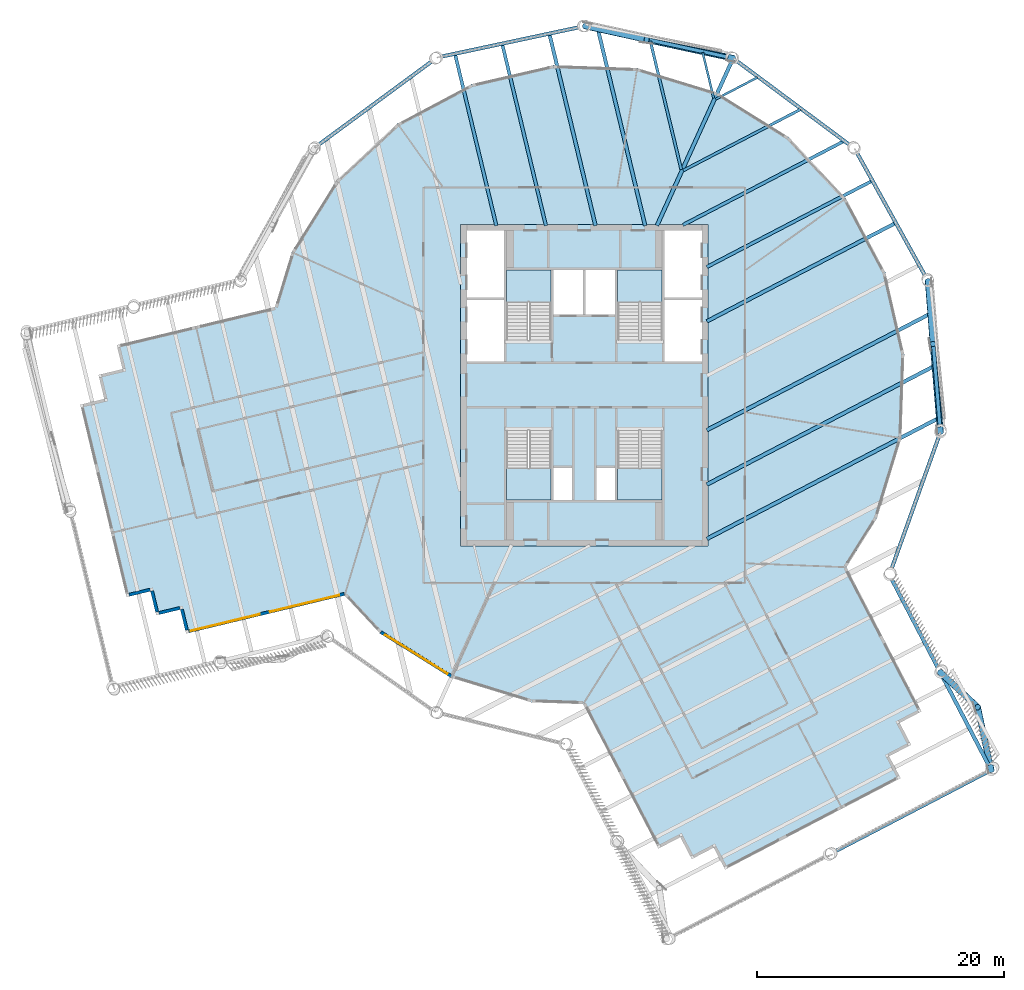
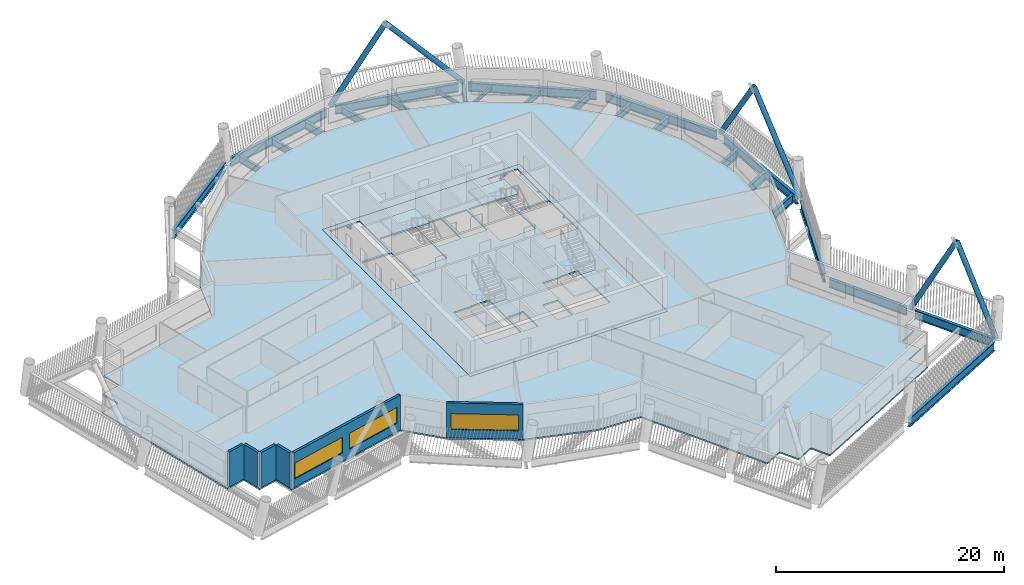
# One storey, part 2 of 22: 25 beams, 6 members, 6 slabs, 6 walls, 3 windows, 3 openings, 4 elements without a shape of their own.
"""IFC4 building model written with IfcOpenShell, lengths in metres."""

from ifc_helpers import new_model, si_unit, direction, frame, frame_2d, origin, origin_2d, place, context, subcontext, project, spatial, polyline, rectangle, hollow_circle, i_section, outline, extrude, material, layer, layer_set, material_profile, profile_set, type_object, element, fill, aggregate, save


model = new_model("IFC4")

# Units and contexts
model_context = context("Model", 3, precision=1e-05, world=origin(), true_north=direction((0.0, 1.0)))
body_context = subcontext(model_context, "Body", "Model", "MODEL_VIEW")
ifc_project = project(units=[si_unit("LENGTHUNIT", "METRE"), si_unit("AREAUNIT", "SQUARE_METRE"), si_unit("VOLUMEUNIT", "CUBIC_METRE"), si_unit("PLANEANGLEUNIT", "RADIAN"), si_unit("MASSUNIT", "GRAM", prefix="KILO")], contexts=[model_context])

# Site, building, storey
site_placement = place(None, origin())
site = spatial("IfcSite", under=ifc_project, at=site_placement, CompositionType="ELEMENT")
building_placement = place(site_placement, origin())
building = spatial("IfcBuilding", under=site, at=building_placement, Name="Tarsis Ring Headquarters", CompositionType="ELEMENT")
storey_placement = place(building_placement, frame((0.0, 0.0, 339.199951171875)))
storey = spatial("IfcBuildingStorey", under=building, at=storey_placement, Name="L80", CompositionType="ELEMENT", Elevation=339.199951171875)

# Beams
ifc_material_1 = material(Name="Structural steel S355", Category="steel")
ifc_material_profile_1 = material_profile(ifc_material_1, i_section(OverallWidth=0.177734375, OverallDepth=0.406494140625, WebThickness=0.0078125, FlangeThickness=0.0126953125, at=origin_2d()), Name="W16x40")
ifc_profile_set_1 = profile_set([ifc_material_profile_1], Name="Structural steel S355")
beam_type_1 = type_object("IfcBeamType", Name="FB Floor beam W16x40", PredefinedType="JOIST", material=ifc_profile_set_1)
for number, where, z_axis, x_axis, name in (
    (1, (10.63427734375, 23.130859375, -0.363037109375), (0.886834115998, 0.462087925294, 0.0), (-0.462087925294, 0.886834115998, 0.0), "Floor beam FB1"),
    (2, (9.57470703125, 26.907958984375, -0.363037109375), (0.233800017985, -0.972284707064, 0.0), (0.972284707064, 0.233800017985, 0.0), "Floor beam FB1"),
):
    element("IfcBeam", number, at=place(storey_placement, frame(where, z_axis=z_axis, x_axis=x_axis)), inside=storey, type_object=beam_type_1, Name=name, PredefinedType="JOIST", context=body_context, shape_type="SweptSolid", body=[
        extrude(i_section(OverallWidth=0.177734375, OverallDepth=0.406494140625, WebThickness=0.0078125, FlangeThickness=0.0126953125, at=origin_2d()), origin(), (0.0, 0.0, 1.0), 3.80517578125),
    ])
ifc_material_profile_2 = material_profile(ifc_material_1, i_section(OverallWidth=0.228271484375, OverallDepth=0.607177734375, WebThickness=0.01123046875, FlangeThickness=0.017333984375, at=origin_2d()), Name="W24x76")
ifc_profile_set_2 = profile_set([ifc_material_profile_2], Name="Structural steel S355")
beam_type_2 = type_object("IfcBeamType", Name="FB Floor beam W24x76", PredefinedType="JOIST", material=ifc_profile_set_2)
for number, where, z_axis, x_axis, name in (
    (3, (8.00927734375, 17.36572265625, -0.463623046875), (0.886849521775, 0.462058357492, 0.0), (-0.462058357492, 0.886849521775, 0.0), "Floor beam FB4"),
    (4, (5.34130859375, 27.831787109375, -0.463623046875), (0.233794658515, -0.972285995811, 0.0), (0.972285995811, 0.233794658515, 0.0), "Floor beam FB4"),
):
    element("IfcBeam", number, at=place(storey_placement, frame(where, z_axis=z_axis, x_axis=x_axis)), inside=storey, type_object=beam_type_2, Name=name, PredefinedType="JOIST", context=body_context, shape_type="SweptSolid", body=[
        extrude(i_section(OverallWidth=0.228271484375, OverallDepth=0.607177734375, WebThickness=0.01123046875, FlangeThickness=0.017333984375, at=origin_2d()), origin(), (0.0, 0.0, 1.0), 10.684814453125),
    ])
ifc_material_profile_3 = material_profile(ifc_material_1, i_section(OverallWidth=0.2666015625, OverallDepth=0.7568359375, WebThickness=0.013916015625, FlangeThickness=0.019287109375, at=origin_2d()), Name="W30x108")
ifc_profile_set_3 = profile_set([ifc_material_profile_3], Name="Structural steel S355")
beam_type_3 = type_object("IfcBeamType", Name="FB Floor beam W30x108", PredefinedType="JOIST", material=ifc_profile_set_3)
beam_1_placement = place(storey_placement, frame((7.98193359375, 12.953857421875, -0.538330078125), z_axis=(0.886846157686, 0.462064814283, 0.0), x_axis=(-0.462064814283, 0.886846157686, 0.0)))
element("IfcBeam", 5, at=beam_1_placement, inside=storey, type_object=beam_type_3, Name="Floor beam FB6", PredefinedType="JOIST", context=body_context, shape_type="SweptSolid", body=[
    extrude(i_section(OverallWidth=0.2666015625, OverallDepth=0.7568359375, WebThickness=0.013916015625, FlangeThickness=0.019287109375, at=origin_2d()), origin(), (0.0, 0.0, 1.0), 14.63525390625),
])
beam_2_placement = place(storey_placement, frame((9.911376953125, 9.5615234375, -0.538330078125), z_axis=(0.886846050338, 0.462065020316, 0.0), x_axis=(-0.462065020316, 0.886846050338, 0.0)))
element("IfcBeam", 6, at=beam_2_placement, inside=storey, type_object=beam_type_3, Name="Floor beam FB6", PredefinedType="JOIST", context=body_context, shape_type="SweptSolid", body=[
    extrude(i_section(OverallWidth=0.2666015625, OverallDepth=0.7568359375, WebThickness=0.013916015625, FlangeThickness=0.019287109375, at=origin_2d()), origin(), (0.0, 0.0, 1.0), 15.041015625),
])
beam_3_placement = place(storey_placement, frame((-6.6279296875, 27.564453125, -0.538330078125), z_axis=(0.23378687207, -0.972287868096, 0.0), x_axis=(0.972287868096, 0.23378687207, 0.0)))
element("IfcBeam", 7, at=beam_3_placement, inside=storey, type_object=beam_type_3, Name="Floor beam FB6", PredefinedType="JOIST", context=body_context, shape_type="SweptSolid", body=[
    extrude(i_section(OverallWidth=0.2666015625, OverallDepth=0.7568359375, WebThickness=0.013916015625, FlangeThickness=0.019287109375, at=origin_2d()), origin(), (0.0, 0.0, 1.0), 15.07958984375),
])
beam_4_placement = place(storey_placement, frame((-10.443359375, 26.751220703125, -0.538330078125), z_axis=(0.23378589692, -0.972288102571, 0.0), x_axis=(0.972288102571, 0.23378589692, 0.0)))
element("IfcBeam", 8, at=beam_4_placement, inside=storey, type_object=beam_type_3, Name="Floor beam FB6", PredefinedType="JOIST", context=body_context, shape_type="SweptSolid", body=[
    extrude(i_section(OverallWidth=0.2666015625, OverallDepth=0.7568359375, WebThickness=0.013916015625, FlangeThickness=0.019287109375, at=origin_2d()), origin(), (0.0, 0.0, 1.0), 14.2431640625),
])
ifc_material_profile_4 = material_profile(ifc_material_1, i_section(OverallWidth=0.2919921875, OverallDepth=0.835693359375, WebThickness=0.013916015625, FlangeThickness=0.018798828125, at=origin_2d()), Name="W33x118")
ifc_profile_set_4 = profile_set([ifc_material_profile_4], Name="Structural steel S355")
beam_type_4 = type_object("IfcBeamType", Name="FB Floor beam W33x118", PredefinedType="JOIST", material=ifc_profile_set_4)
beam_5_placement = place(storey_placement, frame((9.911376953125, 5.163818359375, -0.577880859375), z_axis=(0.886848312102, 0.462060679264, 0.0), x_axis=(-0.462060679264, 0.886848312102, 0.0)))
element("IfcBeam", 9, at=beam_5_placement, inside=storey, type_object=beam_type_4, Name="Floor beam FB7", PredefinedType="JOIST", context=body_context, shape_type="SweptSolid", body=[
    extrude(i_section(OverallWidth=0.2919921875, OverallDepth=0.835693359375, WebThickness=0.013916015625, FlangeThickness=0.018798828125, at=origin_2d()), origin(), (0.0, 0.0, 1.0), 17.17431640625),
])
beam_6_placement = place(storey_placement, frame((1.108154296875, 28.75537109375, -0.577880859375), z_axis=(0.233788055821, -0.972287583462, 0.0), x_axis=(0.972287583462, 0.233788055821, 0.0)))
element("IfcBeam", 10, at=beam_6_placement, inside=storey, type_object=beam_type_4, Name="Floor beam FB7", PredefinedType="JOIST", context=body_context, shape_type="SweptSolid", body=[
    extrude(i_section(OverallWidth=0.2919921875, OverallDepth=0.835693359375, WebThickness=0.013916015625, FlangeThickness=0.018798828125, at=origin_2d()), origin(), (0.0, 0.0, 1.0), 16.304443359375),
])
beam_7_placement = place(storey_placement, frame((-2.812255859375, 28.3779296875, -0.577880859375), z_axis=(0.233784257997, -0.972288496647, 0.0), x_axis=(0.972288496647, 0.233784257997, 0.0)))
element("IfcBeam", 11, at=beam_7_placement, inside=storey, type_object=beam_type_4, Name="Floor beam FB7", PredefinedType="JOIST", context=body_context, shape_type="SweptSolid", body=[
    extrude(i_section(OverallWidth=0.2919921875, OverallDepth=0.835693359375, WebThickness=0.013916015625, FlangeThickness=0.018798828125, at=origin_2d()), origin(), (0.0, 0.0, 1.0), 15.916259765625),
])
ifc_material_profile_5 = material_profile(ifc_material_1, i_section(OverallWidth=0.3046875, OverallDepth=0.904296875, WebThickness=0.01513671875, FlangeThickness=0.02001953125, at=origin_2d()), Name="W36x135")
ifc_profile_set_5 = profile_set([ifc_material_profile_5], Name="Structural steel S355")
beam_type_5 = type_object("IfcBeamType", Name="FB Floor beam W36x135", PredefinedType="JOIST", material=ifc_profile_set_5)
beam_8_placement = place(storey_placement, frame((9.911376953125, -3.63134765625, -0.612060546875), z_axis=(0.886846788632, 0.462063603299, 0.0), x_axis=(-0.462063603299, 0.886846788632, 0.0)))
element("IfcBeam", 12, at=beam_8_placement, inside=storey, type_object=beam_type_5, Name="Floor beam FB8", PredefinedType="JOIST", context=body_context, shape_type="SweptSolid", body=[
    extrude(i_section(OverallWidth=0.3046875, OverallDepth=0.904296875, WebThickness=0.01513671875, FlangeThickness=0.02001953125, at=origin_2d()), origin(), (0.0, 0.0, 1.0), 20.346923828125),
])
beam_9_placement = place(storey_placement, frame((9.911376953125, -8.02880859375, -0.612060546875), z_axis=(0.886849857782, 0.462057712576, 0.0), x_axis=(-0.462057712576, 0.886849857782, 0.0)))
element("IfcBeam", 13, at=beam_9_placement, inside=storey, type_object=beam_type_5, Name="Floor beam FB8", PredefinedType="JOIST", context=body_context, shape_type="SweptSolid", body=[
    extrude(i_section(OverallWidth=0.3046875, OverallDepth=0.904296875, WebThickness=0.01513671875, FlangeThickness=0.02001953125, at=origin_2d()), origin(), (0.0, 0.0, 1.0), 20.735107421875),
])
beam_10_placement = place(storey_placement, frame((9.911376953125, -12.426513671875, -0.612060546875), z_axis=(0.886845610322, 0.462065864843, 0.0), x_axis=(-0.462065864843, 0.886845610322, 0.0)))
element("IfcBeam", 14, at=beam_10_placement, inside=storey, type_object=beam_type_5, Name="Floor beam FB8", PredefinedType="JOIST", context=body_context, shape_type="SweptSolid", body=[
    extrude(i_section(OverallWidth=0.3046875, OverallDepth=0.904296875, WebThickness=0.01513671875, FlangeThickness=0.02001953125, at=origin_2d()), origin(), (0.0, 0.0, 1.0), 21.123046875),
])
ifc_material_profile_6 = material_profile(ifc_material_1, i_section(OverallWidth=0.309814453125, OverallDepth=0.949951171875, WebThickness=0.0244140625, FlangeThickness=0.0439453125, at=origin_2d()), Name="W36x256")
ifc_profile_set_6 = profile_set([ifc_material_profile_6], Name="Structural steel S355")
beam_type_6 = type_object("IfcBeamType", Name="FB Floor beam W36x256 spine", PredefinedType="BEAM", material=ifc_profile_set_6)
beam_11_placement = place(storey_placement, frame((12.0126953125, 26.384033203125, -0.635009765625), z_axis=(-0.414374338807, -0.910106536257, 0.0), x_axis=(0.910106536257, -0.414374338807, 0.0)))
element("IfcBeam", 15, at=beam_11_placement, inside=storey, type_object=beam_type_6, Name="Floor beam SB11", PredefinedType="BEAM", context=body_context, shape_type="SweptSolid", body=[
    extrude(i_section(OverallWidth=0.309814453125, OverallDepth=0.949951171875, WebThickness=0.0244140625, FlangeThickness=0.0439453125, at=origin_2d()), origin(), (0.0, 0.0, 1.0), 14.80615234375),
])

# Members
ifc_material_profile_7 = material_profile(ifc_material_1, hollow_circle(Radius=0.25390625, WallThickness=0.02001953125, at=origin_2d()), Name="CHS 508x20")
ifc_profile_set_7 = profile_set([ifc_material_profile_7], Name="Structural steel S355")
member_type = type_object("IfcMemberType", Name="XD X brace CHS 508x20", PredefinedType="BRACE", material=ifc_profile_set_7)
member_1_placement = place(storey_placement, frame((32.9013671875, -31.11865234375, 0.0), z_axis=(-0.116357893105, 0.542387161973, 0.832031854702), x_axis=(-0.97775360908, -0.209756716059, 0.0)))
element("IfcMember", 16, at=member_1_placement, inside=storey, type_object=member_type, Name="X brace XD2", PredefinedType="BRACE", context=body_context, shape_type="SweptSolid", body=[
    extrude(hollow_circle(Radius=0.25390625, WallThickness=0.02001953125, at=origin_2d()), origin(), (0.0, 0.0, 1.0), 9.374755859375),
])
member_2_placement = place(storey_placement, frame((28.7880859375, -23.223876953125, 0.0), z_axis=(0.342506443642, -0.318436927813, 0.883904553144), x_axis=(0.680904781146, 0.732371954004, 0.0)))
element("IfcMember", 17, at=member_2_placement, inside=storey, type_object=member_type, Name="X brace XD2", PredefinedType="BRACE", context=body_context, shape_type="SweptSolid", body=[
    extrude(hollow_circle(Radius=0.25390625, WallThickness=0.02001953125, at=origin_2d()), origin(), (0.0, 0.0, 1.0), 8.824462890625),
])
member_3_placement = place(storey_placement, frame((28.799560546875, -3.79541015625, 0.0), z_axis=(-0.056740742732, 0.673600264525, 0.73691462989), x_axis=(-0.996470998397, -0.083937770718, 0.0)))
element("IfcMember", 18, at=member_3_placement, inside=storey, type_object=member_type, Name="X brace XD2", PredefinedType="BRACE", context=body_context, shape_type="SweptSolid", body=[
    extrude(hollow_circle(Radius=0.25390625, WallThickness=0.02001953125, at=origin_2d()), origin(), (0.0, 0.0, 1.0), 10.584716796875),
])
member_4_placement = place(storey_placement, frame((27.803466796875, 8.412841796875, 0.0), z_axis=(0.042454885627, -0.545125972792, 0.837278482032), x_axis=(0.996981011634, 0.077645749668, 0.0)))
element("IfcMember", 19, at=member_4_placement, inside=storey, type_object=member_type, Name="X brace XD2", PredefinedType="BRACE", context=body_context, shape_type="SweptSolid", body=[
    extrude(hollow_circle(Radius=0.25390625, WallThickness=0.02001953125, at=origin_2d()), origin(), (0.0, 0.0, 1.0), 9.31591796875),
])
member_5_placement = place(storey_placement, frame((12.037109375, 26.437255859375, 0.0), z_axis=(-0.660821499952, 0.142382238018, 0.736914000069), x_axis=(-0.210628816879, -0.977566111064, 0.0)))
element("IfcMember", 20, at=member_5_placement, inside=storey, type_object=member_type, Name="X brace XD2", PredefinedType="BRACE", context=body_context, shape_type="SweptSolid", body=[
    extrude(hollow_circle(Radius=0.25390625, WallThickness=0.02001953125, at=origin_2d()), origin(), (0.0, 0.0, 1.0), 10.584716796875),
])
member_6_placement = place(storey_placement, frame((0.06982421875, 29.04833984375, 0.0), z_axis=(0.533778846881, -0.118506870856, 0.837279083808), x_axis=(0.216737607469, 0.976229895828, 0.0)))
element("IfcMember", 21, at=member_6_placement, inside=storey, type_object=member_type, Name="X brace XD2", PredefinedType="BRACE", context=body_context, shape_type="SweptSolid", body=[
    extrude(hollow_circle(Radius=0.25390625, WallThickness=0.02001953125, at=origin_2d()), origin(), (0.0, 0.0, 1.0), 9.31591796875),
])

# Beams
ifc_material_profile_8 = material_profile(ifc_material_1, i_section(OverallWidth=0.309814453125, OverallDepth=0.93212890625, WebThickness=0.02099609375, FlangeThickness=0.034423828125, at=origin_2d()), Name="W36x210")
ifc_profile_set_8 = profile_set([ifc_material_profile_8], Name="Structural steel S355")
beam_type_7 = type_object("IfcBeamType", Name="XG Ring girder W36x210", PredefinedType="BEAM", material=ifc_profile_set_8)
beam_12_placement = place(storey_placement, frame((20.161376953125, -37.756591796875, -0.466064453125), z_axis=(0.886844370992, 0.462068243488, 0.0), x_axis=(-0.462068243488, 0.886844370992, 0.0)))
element("IfcBeam", 22, at=beam_12_placement, inside=storey, type_object=beam_type_7, Name="Ring girder XG3", PredefinedType="BEAM", context=body_context, shape_type="SweptSolid", body=[
    extrude(i_section(OverallWidth=0.309814453125, OverallDepth=0.93212890625, WebThickness=0.02099609375, FlangeThickness=0.034423828125, at=origin_2d()), origin(), (0.0, 0.0, 1.0), 13.931396484375),
])
for number, where, z_axis, x_axis, name in (
    (23, (32.70068359375, -30.7333984375, -0.466064453125), (-0.462054938419, 0.886851303141, 0.0), (-0.886851303141, -0.462054938419, 0.0), "Ring girder XG3"),
    (24, (28.58740234375, -22.838623046875, -0.466064453125), (-0.462054938419, 0.886851303141, 0.0), (-0.886851303141, -0.462054938419, 0.0), "Ring girder XG3"),
):
    element("IfcBeam", number, at=place(storey_placement, frame(where, z_axis=z_axis, x_axis=x_axis)), inside=storey, type_object=beam_type_7, Name=name, PredefinedType="BEAM", context=body_context, shape_type="SweptSolid", body=[
        extrude(i_section(OverallWidth=0.309814453125, OverallDepth=0.93212890625, WebThickness=0.02099609375, FlangeThickness=0.034423828125, at=origin_2d()), origin(), (0.0, 0.0, 1.0), 8.033447265625),
    ])
for number, where, z_axis, x_axis, name in (
    (25, (24.821044921875, -14.919921875, -0.466064453125), (0.336748146455, 0.941594756708, 0.0), (-0.941594756708, 0.336748146455, 0.0), "Ring girder XG3"),
    (26, (28.76416015625, -3.362548828125, -0.466064453125), (-0.081307209425, 0.996689087778, 0.0), (-0.996689087778, -0.081307209425, 0.0), "Ring girder XG3"),
):
    element("IfcBeam", number, at=place(storey_placement, frame(where, z_axis=z_axis, x_axis=x_axis)), inside=storey, type_object=beam_type_7, Name=name, PredefinedType="BEAM", context=body_context, shape_type="SweptSolid", body=[
        extrude(i_section(OverallWidth=0.309814453125, OverallDepth=0.93212890625, WebThickness=0.02099609375, FlangeThickness=0.034423828125, at=origin_2d()), origin(), (0.0, 0.0, 1.0), 11.380126953125),
    ])
beam_13_placement = place(storey_placement, frame((27.593017578125, 8.792724609375, -0.466064453125), z_axis=(-0.484899595308, 0.874569827098, 0.0), x_axis=(-0.874569827098, -0.484899595308, 0.0)))
element("IfcBeam", 27, at=beam_13_placement, inside=storey, type_object=beam_type_7, Name="Ring girder XG3", PredefinedType="BEAM", context=body_context, shape_type="SweptSolid", body=[
    extrude(i_section(OverallWidth=0.309814453125, OverallDepth=0.93212890625, WebThickness=0.02099609375, FlangeThickness=0.034423828125, at=origin_2d()), origin(), (0.0, 0.0, 1.0), 11.38037109375),
])
for number, where, z_axis, x_axis, name in (
    (28, (21.515625, 19.384765625, -0.466064453125), (-0.802287937557, 0.596937237279, 0.0), (-0.596937237279, -0.802287937557, 0.0), "Ring girder XG3"),
    (29, (11.612548828125, 26.52978515625, -0.466064453125), (-0.977012268067, 0.213183085742, 0.0), (-0.213183085742, -0.977012268067, 0.0), "Ring girder XG3"),
    (30, (-0.35498046875, 28.957763671875, -0.466064453125), (-0.97802632585, -0.208481428297, 0.0), (0.208481428297, -0.97802632585, 0.0), "Ring girder XG3"),
    (31, (-12.259765625, 26.237060546875, -0.466064453125), (-0.805144800065, -0.59307828398, 0.0), (0.59307828398, -0.805144800065, 0.0), "Ring girder XG3"),
):
    element("IfcBeam", number, at=place(storey_placement, frame(where, z_axis=z_axis, x_axis=x_axis)), inside=storey, type_object=beam_type_7, Name=name, PredefinedType="BEAM", context=body_context, shape_type="SweptSolid", body=[
        extrude(i_section(OverallWidth=0.309814453125, OverallDepth=0.93212890625, WebThickness=0.02099609375, FlangeThickness=0.034423828125, at=origin_2d()), origin(), (0.0, 0.0, 1.0), 11.380126953125),
    ])

# Slab
ifc_material_2 = material(Name="Concrete C40/50", Category="concrete")
ifc_layer_1 = layer(ifc_material_2, 0.159912109375)
ifc_layer_set_1 = layer_set([ifc_layer_1], Name="Core floor slab 160 C40/50")
slab_type_1 = type_object("IfcSlabType", Name="Core floor slab 160 C40/50", PredefinedType="FLOOR", material=ifc_layer_set_1)
slab_1_placement = place(storey_placement, frame((0.0, 0.0, -0.159912109375)))
element("IfcSlab", 32, at=slab_1_placement, inside=storey, type_object=slab_type_1, Name="L80 core floor slab", PredefinedType="FLOOR", context=body_context, shape_type="SweptSolid", body=[
    extrude(outline(polyline([(-10.0, -13.0), (10.0, -13.0), (10.0, 13.0), (-10.0, 13.0), (-10.0, -13.0)]), holes=[polyline([(-2.5, 5.699951171875), (-0.10009765625, 5.699951171875), (-0.10009765625, 9.300048828125), (-2.5, 9.300048828125), (-2.5, 5.699951171875)]), polyline([(0.10009765625, 5.699951171875), (2.5, 5.699951171875), (2.5, 9.300048828125), (0.10009765625, 9.300048828125), (0.10009765625, 5.699951171875)]), polyline([(-9.5, 1.89990234375), (-6.5, 1.89990234375), (-6.5, 6.89990234375), (-9.5, 6.89990234375), (-9.5, 1.89990234375)]), polyline([(-9.5, 7.10009765625), (-6.5, 7.10009765625), (-6.5, 12.5), (-9.5, 12.5), (-9.5, 7.10009765625)]), polyline([(6.5, 1.89990234375), (9.5, 1.89990234375), (9.5, 6.89990234375), (6.5, 6.89990234375), (6.5, 1.89990234375)]), polyline([(6.5, 7.10009765625), (9.5, 7.10009765625), (9.5, 12.5), (6.5, 12.5), (6.5, 7.10009765625)]), polyline([(-2.5, -9.300048828125), (-1.0, -9.300048828125), (-1.0, -6.699951171875), (-2.5, -6.699951171875), (-2.5, -9.300048828125)]), polyline([(1.0, -9.300048828125), (2.5, -9.300048828125), (2.5, -6.699951171875), (1.0, -6.699951171875), (1.0, -9.300048828125)]), polyline([(-2.699951171875, 3.760009765625), (-2.699951171875, 9.300048828125), (-6.300048828125, 9.300048828125), (-6.300048828125, 3.659912109375), (-4.4599609375, 3.659912109375), (-4.4599609375, 3.760009765625), (-2.699951171875, 3.760009765625)]), polyline([(6.300048828125, 3.760009765625), (6.300048828125, 9.300048828125), (2.699951171875, 9.300048828125), (2.699951171875, 3.659912109375), (4.5400390625, 3.659912109375), (4.5400390625, 3.760009765625), (6.300048828125, 3.760009765625)]), polyline([(-6.300048828125, -3.760009765625), (-6.300048828125, -9.300048828125), (-2.699951171875, -9.300048828125), (-2.699951171875, -3.659912109375), (-4.5400390625, -3.659912109375), (-4.5400390625, -3.760009765625), (-6.300048828125, -3.760009765625)]), polyline([(2.699951171875, -3.760009765625), (2.699951171875, -9.300048828125), (6.300048828125, -9.300048828125), (6.300048828125, -3.659912109375), (4.4599609375, -3.659912109375), (4.4599609375, -3.760009765625), (2.699951171875, -3.760009765625)])]), origin(), (0.0, 0.0, 1.0), 0.159912109375),
])

# Stair, slab
ifc_material_3 = material(Name="Core stair 1760")
stair_type = type_object("IfcStairType", Name="Core stair 1760", PredefinedType="HALF_TURN_STAIR", material=ifc_material_3)
stair_1_placement = place(storey_placement, origin())
stair_1 = element("IfcStair", 33, at=stair_1_placement, inside=storey, type_object=stair_type, Name="L80 Firefighting stair", PredefinedType="HALF_TURN_STAIR")
ifc_layer_2 = layer(ifc_material_2, 0.199951171875)
ifc_layer_set_2 = layer_set([ifc_layer_2], Name="Core stair landing 200")
slab_type_2 = type_object("IfcSlabType", Name="Core stair landing 200", PredefinedType="LANDING", material=ifc_layer_set_2)
slab_2_placement = place(storey_placement, frame((0.0, 0.0, 1.75)))
slab_2 = element("IfcSlab", 34, at=slab_2_placement, type_object=slab_type_2, Name="Stair ST1 landing 1", PredefinedType="LANDING", context=body_context, shape_type="SweptSolid", body=[
    extrude(outline(polyline([(-2.699951171875, 6.739990234375), (-2.699951171875, 9.300048828125), (-6.300048828125, 9.300048828125), (-6.300048828125, 6.739990234375), (-2.699951171875, 6.739990234375)])), origin(), (0.0, 0.0, 1.0), 0.199951171875),
])
aggregate(stair_1, [slab_2])

stair_2_placement = place(storey_placement, origin())
stair_2 = element("IfcStair", 35, at=stair_2_placement, inside=storey, type_object=stair_type, Name="L80 Exit stair B", PredefinedType="HALF_TURN_STAIR")
slab_3_placement = place(storey_placement, frame((0.0, 0.0, 1.75)))
slab_3 = element("IfcSlab", 36, at=slab_3_placement, type_object=slab_type_2, Name="Stair ST2 landing 1", PredefinedType="LANDING", context=body_context, shape_type="SweptSolid", body=[
    extrude(outline(polyline([(6.300048828125, 6.739990234375), (6.300048828125, 9.300048828125), (2.699951171875, 9.300048828125), (2.699951171875, 6.739990234375), (6.300048828125, 6.739990234375)])), origin(), (0.0, 0.0, 1.0), 0.199951171875),
])
aggregate(stair_2, [slab_3])

stair_3_placement = place(storey_placement, origin())
stair_3 = element("IfcStair", 37, at=stair_3_placement, inside=storey, type_object=stair_type, Name="L80 Exit stair C", PredefinedType="HALF_TURN_STAIR")
slab_4_placement = place(storey_placement, frame((0.0, 0.0, 1.75)))
slab_4 = element("IfcSlab", 38, at=slab_4_placement, type_object=slab_type_2, Name="Stair ST3 landing 1", PredefinedType="LANDING", context=body_context, shape_type="SweptSolid", body=[
    extrude(outline(polyline([(-6.300048828125, -6.739990234375), (-6.300048828125, -9.300048828125), (-2.699951171875, -9.300048828125), (-2.699951171875, -6.739990234375), (-6.300048828125, -6.739990234375)])), origin(), (0.0, 0.0, 1.0), 0.199951171875),
])
aggregate(stair_3, [slab_4])

stair_4_placement = place(storey_placement, origin())
stair_4 = element("IfcStair", 39, at=stair_4_placement, inside=storey, type_object=stair_type, Name="L80 Exit stair D", PredefinedType="HALF_TURN_STAIR")
slab_5_placement = place(storey_placement, frame((0.0, 0.0, 1.75)))
slab_5 = element("IfcSlab", 40, at=slab_5_placement, type_object=slab_type_2, Name="Stair ST4 landing 1", PredefinedType="LANDING", context=body_context, shape_type="SweptSolid", body=[
    extrude(outline(polyline([(2.699951171875, -6.739990234375), (2.699951171875, -9.300048828125), (6.300048828125, -9.300048828125), (6.300048828125, -6.739990234375), (2.699951171875, -6.739990234375)])), origin(), (0.0, 0.0, 1.0), 0.199951171875),
])
aggregate(stair_4, [slab_5])

# Slab
ifc_material_4 = material(Name="Concrete C35/45", Category="concrete")
ifc_layer_3 = layer(ifc_material_4, 0.159912109375)
ifc_layer_set_3 = layer_set([ifc_layer_3], Name="FS Composite floor slab 160")
slab_type_3 = type_object("IfcSlabType", Name="FS Composite floor slab 160", PredefinedType="FLOOR", material=ifc_layer_set_3)
slab_6_placement = place(storey_placement, frame((0.0, 0.0, -0.159912109375)))
element("IfcSlab", 41, at=slab_6_placement, inside=storey, type_object=slab_type_3, Name="Floor slab L80", PredefinedType="FLOOR", context=body_context, shape_type="SweptSolid", body=[
    extrude(outline(polyline([(-19.389892578125, -17.00439453125), (-16.531005859375, -20.068115234375), (-10.773681640625, -23.662841796875), (-4.2822265625, -25.64501953125), (-0.09423828125, -25.789794921875), (5.991943359375, -37.47119140625), (7.765625, -36.547119140625), (8.689697265625, -38.32080078125), (10.46337890625, -37.396728515625), (11.387451171875, -39.17041015625), (25.5771484375, -31.777587890625), (24.653076171875, -30.00390625), (26.4267578125, -29.07958984375), (25.502685546875, -27.305908203125), (27.2763671875, -26.3818359375), (21.19970703125, -14.71875), (23.662841796875, -10.773681640625), (25.64501953125, -4.2822265625), (25.87939453125, 2.5009765625), (24.350341796875, 9.114013671875), (21.16162109375, 15.105712890625), (16.531005859375, 20.068115234375), (10.773681640625, 23.662841796875), (4.2822265625, 25.64501953125), (-2.5009765625, 25.87939453125), (-9.114013671875, 24.350341796875), (-15.105712890625, 21.16162109375), (-20.068115234375, 16.531005859375), (-23.662841796875, 10.773681640625), (-25.02099609375, 6.32568359375), (-37.807861328125, 3.251220703125), (-37.34033203125, 1.306640625), (-39.284912109375, 0.839111328125), (-38.817138671875, -1.10546875), (-40.76171875, -1.572998046875), (-37.021240234375, -17.129638671875), (-35.07666015625, -16.662109375), (-34.609130859375, -18.606689453125), (-32.66455078125, -18.13916015625), (-32.197021484375, -20.083740234375), (-19.389892578125, -17.00439453125)]), holes=[polyline([(-10.0, -13.0), (-10.0, 13.0), (10.0, 13.0), (10.0, -13.0), (-10.0, -13.0)])]), origin(), (0.0, 0.0, 1.0), 0.159912109375),
])

# Wall, openings, windows
ifc_material_5 = material(Name="Terracotta clad insulated panel wall", Category="masonry")
ifc_layer_4 = layer(ifc_material_5, 0.25)
ifc_layer_set_4 = layer_set([ifc_layer_4], Name="Facade wall terracotta panel 250")
wall_type = type_object("IfcWallType", Name="Facade wall terracotta panel 250", PredefinedType="STANDARD", material=ifc_layer_set_4)
wall_1_placement = place(storey_placement, frame((-31.983154296875, -19.90380859375, 0.0), z_axis=(0.0, 0.0, 1.0), x_axis=(0.97228808864, 0.233785954857, 0.0)))
wall_1 = element("IfcWall", 42, at=wall_1_placement, inside=storey, type_object=wall_type, Name="External wall L80-01", PredefinedType="STANDARD", context=body_context, shape_type="SweptSolid", body=[
    extrude(rectangle(XDim=12.922119140625, YDim=0.25, at=frame_2d((6.4609375, 0.0))), origin(), (0.0, 0.0, 1.0), 3.739990234375),
])
opening_1_placement = place(wall_1_placement, frame((0.16796875, 0.0, 0.89990234375)))
opening_1 = element("IfcOpeningElement", 43, at=opening_1_placement, cuts=wall_1, Name="Opening WN06", PredefinedType="OPENING", context=body_context, shape_type="SweptSolid", body=[
    extrude(rectangle(XDim=5.75, YDim=1.699951171875, at=frame_2d((2.875, 0.85009765625))), frame((0.0, 0.135009765625, 0.0), z_axis=(0.0, -1.0, 0.0), x_axis=(1.0, 0.0, 0.0)), (0.0, 0.0, 1.0), 0.27001953125),
])
opening_2_placement = place(wall_1_placement, frame((6.75390625, 0.0, 0.89990234375)))
opening_2 = element("IfcOpeningElement", 44, at=opening_2_placement, cuts=wall_1, Name="Opening WN06", PredefinedType="OPENING", context=body_context, shape_type="SweptSolid", body=[
    extrude(rectangle(XDim=5.75, YDim=1.699951171875, at=frame_2d((2.875, 0.85009765625))), frame((0.0, 0.135009765625, 0.0), z_axis=(0.0, -1.0, 0.0), x_axis=(1.0, 0.0, 0.0)), (0.0, 0.0, 1.0), 0.27001953125),
])
ifc_material_6 = material(Name="Aluminium framed double glazing", Category="aluminium")
window_type_1 = type_object("IfcWindowType", Name="Facade window 5750 x 1700", PartitioningType="SINGLE_PANEL", PredefinedType="WINDOW", material=ifc_material_6)
window_1_placement = place(opening_1_placement, origin())
window_1 = element("IfcWindow", 45, at=window_1_placement, inside=storey, type_object=window_type_1, Name="Window L80-01.1", OverallHeight=1.699951171875, OverallWidth=5.75, PartitioningType="SINGLE_PANEL", PredefinedType="WINDOW", context=body_context, shape_type="SweptSolid", body=[
    extrude(rectangle(XDim=5.75, YDim=1.699951171875, at=frame_2d((2.875, 0.85009765625))), frame((0.0, 0.030029296875, 0.0), z_axis=(0.0, -1.0, 0.0), x_axis=(1.0, 0.0, 0.0)), (0.0, 0.0, 1.0), 0.06005859375),
])
fill(opening_1, window_1)
window_2_placement = place(opening_2_placement, origin())
window_2 = element("IfcWindow", 46, at=window_2_placement, inside=storey, type_object=window_type_1, Name="Window L80-01.2", OverallHeight=1.699951171875, OverallWidth=5.75, PartitioningType="SINGLE_PANEL", PredefinedType="WINDOW", context=body_context, shape_type="SweptSolid", body=[
    extrude(rectangle(XDim=5.75, YDim=1.699951171875, at=frame_2d((2.875, 0.85009765625))), frame((0.0, 0.030029296875, 0.0), z_axis=(0.0, -1.0, 0.0), x_axis=(1.0, 0.0, 0.0)), (0.0, 0.0, 1.0), 0.06005859375),
])
fill(opening_2, window_2)

# Wall, opening, window
wall_2_placement = place(storey_placement, frame((-16.43701171875, -19.9794921875, 0.0), z_axis=(0.0, 0.0, 1.0), x_axis=(0.848236966314, -0.529616888872, 0.0)))
wall_2 = element("IfcWall", 47, at=wall_2_placement, inside=storey, type_object=wall_type, Name="External wall L80-03", PredefinedType="STANDARD", context=body_context, shape_type="SweptSolid", body=[
    extrude(rectangle(XDim=6.721435546875, YDim=0.25, at=frame_2d((3.36083984375, 0.0))), origin(), (0.0, 0.0, 1.0), 3.739990234375),
])
opening_3_placement = place(wall_2_placement, frame((0.3857421875, 0.0, 0.89990234375)))
opening_3 = element("IfcOpeningElement", 48, at=opening_3_placement, cuts=wall_2, Name="Opening WN07", PredefinedType="OPENING", context=body_context, shape_type="SweptSolid", body=[
    extrude(rectangle(XDim=5.949951171875, YDim=1.699951171875, at=frame_2d((2.97509765625, 0.85009765625))), frame((0.0, 0.135009765625, 0.0), z_axis=(0.0, -1.0, 0.0), x_axis=(1.0, 0.0, 0.0)), (0.0, 0.0, 1.0), 0.27001953125),
])
window_type_2 = type_object("IfcWindowType", Name="Facade window 5950 x 1700", PartitioningType="SINGLE_PANEL", PredefinedType="WINDOW", material=ifc_material_6)
window_3_placement = place(opening_3_placement, origin())
window_3 = element("IfcWindow", 49, at=window_3_placement, inside=storey, type_object=window_type_2, Name="Window L80-03.1", OverallHeight=1.699951171875, OverallWidth=5.949951171875, PartitioningType="SINGLE_PANEL", PredefinedType="WINDOW", context=body_context, shape_type="SweptSolid", body=[
    extrude(rectangle(XDim=5.949951171875, YDim=1.699951171875, at=frame_2d((2.97509765625, 0.85009765625))), frame((0.0, 0.030029296875, 0.0), z_axis=(0.0, -1.0, 0.0), x_axis=(1.0, 0.0, 0.0)), (0.0, 0.0, 1.0), 0.06005859375),
])
fill(opening_3, window_3)

# Walls
for number, where, z_axis, x_axis, name in (
    (50, (-36.807373046875, -16.94970703125, 0.0), (0.0, 0.0, 1.0), (0.972278285941, 0.233826719362, 0.0), "External wall L80-37"),
    (51, (-34.955078125, -16.6328125, 0.0), (0.0, 0.0, 1.0), (0.233663128189, -0.972317614016, 0.0), "External wall L80-38"),
    (52, (-34.395263671875, -18.4267578125, 0.0), (0.0, 0.0, 1.0), (0.972278285941, 0.233826719362, 0.0), "External wall L80-39"),
):
    element("IfcWall", number, at=place(storey_placement, frame(where, z_axis=z_axis, x_axis=x_axis)), inside=storey, type_object=wall_type, Name=name, PredefinedType="STANDARD", context=body_context, shape_type="SweptSolid", body=[
        extrude(rectangle(XDim=1.75, YDim=0.25, at=frame_2d((0.875, 0.0))), origin(), (0.0, 0.0, 1.0), 3.739990234375),
    ])
wall_3_placement = place(storey_placement, frame((-32.54296875, -18.10986328125, 0.0), z_axis=(0.0, 0.0, 1.0), x_axis=(0.233795005609, -0.972285912349, 0.0)))
element("IfcWall", 53, at=wall_3_placement, inside=storey, type_object=wall_type, Name="External wall L80-40", PredefinedType="STANDARD", context=body_context, shape_type="SweptSolid", body=[
    extrude(rectangle(XDim=1.750244140625, YDim=0.25, at=frame_2d((0.875, 0.0))), origin(), (0.0, 0.0, 1.0), 3.739990234375),
])

save(model, "model.ifc")
